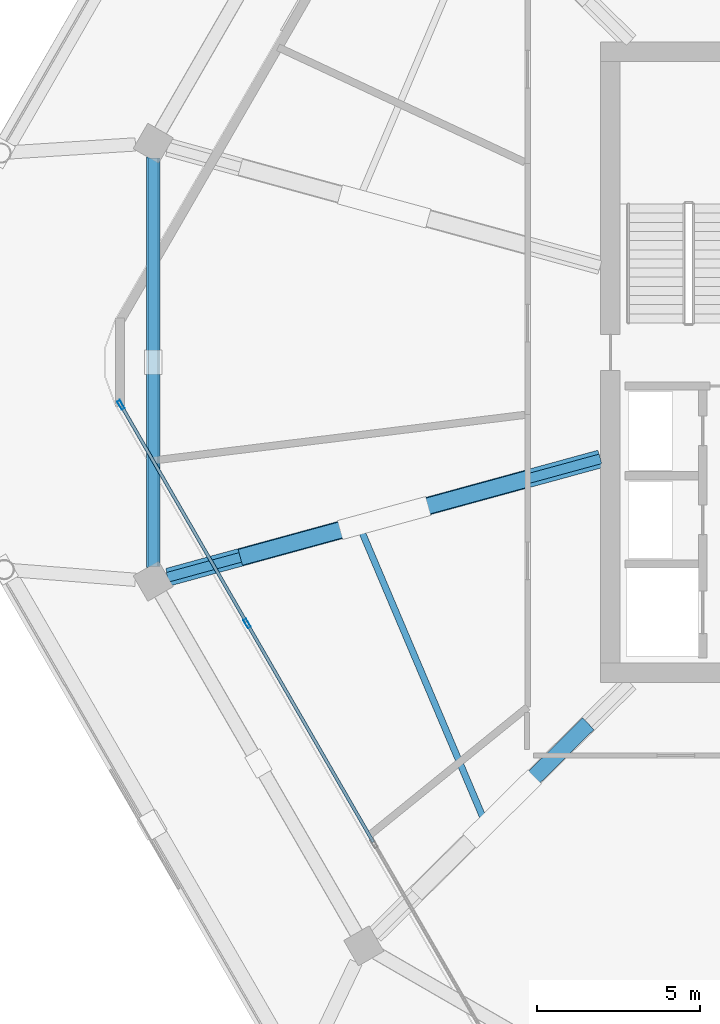
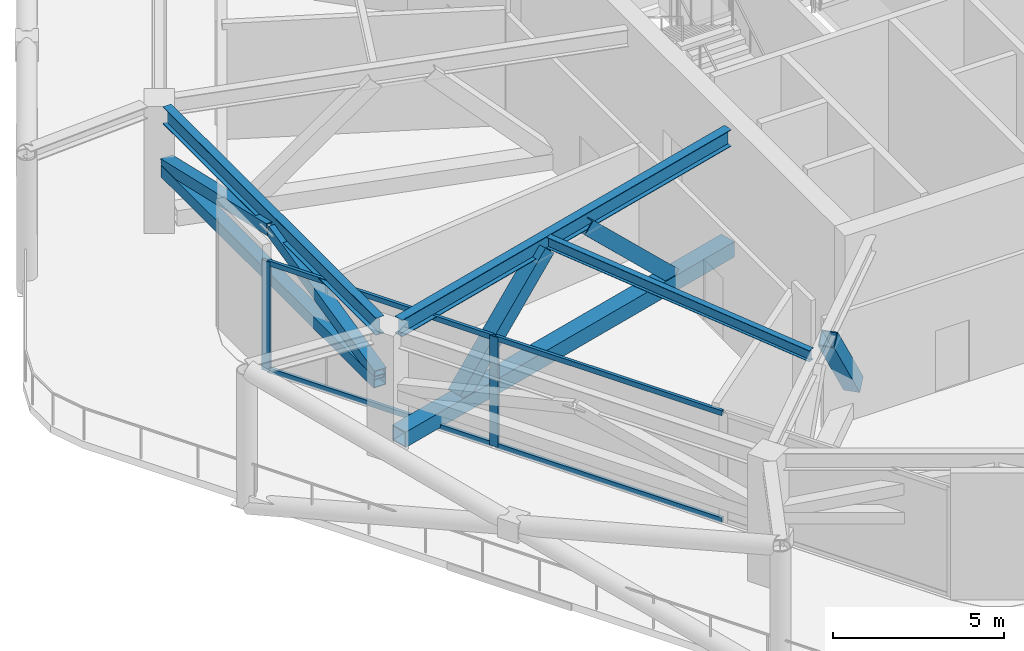
# One storey, part 4 of 20: 13 members, 3 beams, 1 element without a shape of its own.
"""IFC4 building model written with IfcOpenShell, lengths in metres."""

from ifc_helpers import new_model, si_unit, direction, frame, origin, origin_2d, place, context, subcontext, project, spatial, hollow_rectangle, i_section, extrude, material, material_profile, profile_set, type_object, element, aggregate, save


model = new_model("IFC4")

# Units and contexts
model_context = context("Model", 3, precision=1e-05, world=origin(), true_north=direction((0.0, 1.0)))
body_context = subcontext(model_context, "Body", "Model", "MODEL_VIEW")
ifc_project = project(units=[si_unit("LENGTHUNIT", "METRE"), si_unit("AREAUNIT", "SQUARE_METRE"), si_unit("VOLUMEUNIT", "CUBIC_METRE"), si_unit("PLANEANGLEUNIT", "RADIAN"), si_unit("MASSUNIT", "GRAM", prefix="KILO")], contexts=[model_context])

# Site, building, storey
site_placement = place(None, origin())
site = spatial("IfcSite", under=ifc_project, at=site_placement, CompositionType="ELEMENT")
building_placement = place(site_placement, origin())
building = spatial("IfcBuilding", under=site, at=building_placement, Name="Zuhravey Tower", CompositionType="ELEMENT")
storey_placement = place(building_placement, frame((0.0, 0.0, 226.39990234375)))
storey = spatial("IfcBuildingStorey", under=building, at=storey_placement, Name="L57", CompositionType="ELEMENT", Elevation=226.39990234375)

# Members
ifc_material_1 = material(Name="Steel SM355", Category="steel")
ifc_material_profile_1 = material_profile(ifc_material_1, hollow_rectangle(XDim=0.419921875, YDim=0.419921875, WallThickness=0.028076171875, at=origin_2d()), Name="RHS-420x420x28")
ifc_profile_set_1 = profile_set([ifc_material_profile_1], Name="Steel SM355")
member_type_1 = type_object("IfcMemberType", Name="Belt Truss Chord RHS420x420", PredefinedType="CHORD", material=ifc_profile_set_1)
member_1_placement = place(storey_placement, frame((11.515380859375, 38.243896484375, 2.27001953125), z_axis=(0.0, -1.0, 0.0), x_axis=(1.0, 0.0, 0.0)))
element("IfcMember", 1, at=member_1_placement, inside=storey, type_object=member_type_1, Name="L57 Belt Truss Bottom Chord BTC1-05", PredefinedType="CHORD", context=body_context, shape_type="SweptSolid", body=[
    extrude(hollow_rectangle(XDim=0.419921875, YDim=0.419921875, WallThickness=0.028076171875, at=origin_2d()), origin(), (0.0, 0.0, 1.0), 12.48779296875),
])
ifc_material_profile_2 = material_profile(ifc_material_1, hollow_rectangle(XDim=0.39990234375, YDim=0.39990234375, WallThickness=0.02490234375, at=origin_2d()), Name="RHS-400x400x25")
ifc_profile_set_2 = profile_set([ifc_material_profile_2], Name="Steel SM355")
member_type_2 = type_object("IfcMemberType", Name="Belt Truss Diagonal RHS400x400", PredefinedType="BRACE", material=ifc_profile_set_2)
for number, where, z_axis, x_axis, name in (
    (2, (11.515380859375, 38.229248046875, 2.493408203125), (0.0, -0.974416390723, 0.224750300312), (1.0, 0.0, 0.0), "L57 Belt Truss Diagonal BTD1-05.1"),
    (3, (11.515380859375, 25.770751953125, 2.493408203125), (0.0, 0.974416390723, 0.224750300312), (-1.0, 0.0, 0.0), "L57 Belt Truss Diagonal BTD1-05.2"),
):
    element("IfcMember", number, at=place(storey_placement, frame(where, z_axis=z_axis, x_axis=x_axis)), inside=storey, type_object=member_type_2, Name=name, PredefinedType="BRACE", context=body_context, shape_type="SweptSolid", body=[
        extrude(hollow_rectangle(XDim=0.39990234375, YDim=0.39990234375, WallThickness=0.02490234375, at=origin_2d()), origin(), (0.0, 0.0, 1.0), 6.36767578125),
    ])

# Curtain wall, members
ifc_material_2 = material(Name="Thermally broken anodised aluminium", Category="aluminium")
curtain_wall_type = type_object("IfcCurtainWallType", Name="Sky-Garden Tray Clerestory Curtain Wall CW5", PredefinedType="NOTDEFINED", material=ifc_material_2)
curtain_wall_placement = place(storey_placement, origin())
curtain_wall = element("IfcCurtainWall", 4, at=curtain_wall_placement, inside=storey, type_object=curtain_wall_type, Name="L57 CW5 CW-L57-F4-1", PredefinedType="NOTDEFINED")
ifc_material_3 = material(Name="Anodised aluminium", Category="aluminium")
ifc_material_profile_3 = material_profile(ifc_material_3, hollow_rectangle(XDim=0.10009765625, YDim=0.2900390625, WallThickness=0.006103515625, at=origin_2d()), Name="ALU-RHS-100x290x6")
ifc_profile_set_3 = profile_set([ifc_material_profile_3], Name="Anodised aluminium")
member_type_3 = type_object("IfcMemberType", Name="Heavy Tall-Storey Mullion 100x220", PredefinedType="MULLION", material=ifc_profile_set_3)
member_2_placement = place(storey_placement, frame((14.38671875, 24.008056640625, 0.0), z_axis=(0.0, 0.0, 1.0), x_axis=(-0.86602528573, -0.500000204476, 0.0)))
member_2 = element("IfcMember", 5, at=member_2_placement, type_object=member_type_3, Name="CW5 mullion 3", PredefinedType="MULLION", context=body_context, shape_type="SweptSolid", body=[
    extrude(hollow_rectangle(XDim=0.10009765625, YDim=0.2900390625, WallThickness=0.006103515625, at=origin_2d()), origin(), (0.0, 0.0, 1.0), 3.93017578125),
])
member_3_placement = place(storey_placement, frame((10.526611328125, 30.694091796875, 0.0), z_axis=(0.0, 0.0, 1.0), x_axis=(-0.86602528573, -0.500000204476, 0.0)))
member_3 = element("IfcMember", 6, at=member_3_placement, type_object=member_type_3, Name="CW5 mullion 4", PredefinedType="MULLION", context=body_context, shape_type="SweptSolid", body=[
    extrude(hollow_rectangle(XDim=0.10009765625, YDim=0.2900390625, WallThickness=0.006103515625, at=origin_2d()), origin(), (0.0, 0.0, 1.0), 3.93017578125),
])

# Members
ifc_material_4 = material(Name="Steel SM460", Category="steel")
ifc_material_profile_4 = material_profile(ifc_material_4, hollow_rectangle(XDim=0.550048828125, YDim=0.550048828125, WallThickness=0.034912109375, at=origin_2d()), Name="RHS-550x550x35")
ifc_profile_set_4 = profile_set([ifc_material_profile_4], Name="Steel SM460")
member_type_4 = type_object("IfcMemberType", Name="Outrigger Truss Chord RHS550x550", PredefinedType="CHORD", material=ifc_profile_set_4)
member_4_placement = place(storey_placement, frame((25.192138671875, 29.04296875, 0.320068359375), z_axis=(-0.964553096475, -0.263888847967, 0.0), x_axis=(0.263888847967, -0.964553096475, 0.0)))
element("IfcMember", 7, at=member_4_placement, inside=storey, type_object=member_type_4, Name="L57 Outrigger Bottom Chord OTC1-05", PredefinedType="CHORD", context=body_context, shape_type="SweptSolid", body=[
    extrude(hollow_rectangle(XDim=0.550048828125, YDim=0.550048828125, WallThickness=0.034912109375, at=origin_2d()), origin(), (0.0, 0.0, 1.0), 13.708984375),
])
ifc_material_profile_5 = material_profile(ifc_material_4, hollow_rectangle(XDim=0.5, YDim=0.5, WallThickness=0.031982421875, at=origin_2d()), Name="RHS-500x500x32")
ifc_profile_set_5 = profile_set([ifc_material_profile_5], Name="Steel SM460")
member_type_5 = type_object("IfcMemberType", Name="Outrigger Truss Diagonal RHS500x500", PredefinedType="BRACE", material=ifc_profile_set_5)
for number, where, z_axis, x_axis, name in (
    (8, (22.81201171875, 28.391845703125, 0.56005859375), (-0.686292632713, -0.187777695913, 0.702667744529), (0.263911332088, -0.964546944838, 0.0), "L57 Outrigger Diagonal OTD1-05.1"),
    (9, (14.34912109375, 26.076416015625, 0.56005859375), (0.686292632713, 0.187777695913, 0.702667744529), (-0.263911332088, 0.964546944838, 0.0), "L57 Outrigger Diagonal OTD1-05.2"),
):
    element("IfcMember", number, at=place(storey_placement, frame(where, z_axis=z_axis, x_axis=x_axis)), inside=storey, type_object=member_type_5, Name=name, PredefinedType="BRACE", context=body_context, shape_type="SweptSolid", body=[
        extrude(hollow_rectangle(XDim=0.5, YDim=0.5, WallThickness=0.031982421875, at=origin_2d()), origin(), (0.0, 0.0, 1.0), 5.009521484375),
    ])
member_5_placement = place(storey_placement, frame((24.685791015625, 20.804443359375, 0.56005859375), z_axis=(-0.447513072519, -0.442878981702, 0.776910713977), x_axis=(0.703417081124, -0.710777327989, 0.0)))
element("IfcMember", 10, at=member_5_placement, inside=storey, type_object=member_type_5, Name="L57 Outrigger Diagonal OTD1-06.1", PredefinedType="BRACE", context=body_context, shape_type="SweptSolid", body=[
    extrude(hollow_rectangle(XDim=0.5, YDim=0.5, WallThickness=0.031982421875, at=origin_2d()), origin(), (0.0, 0.0, 1.0), 4.53076171875),
])

# Beams
ifc_material_profile_6 = material_profile(ifc_material_1, i_section(OverallWidth=0.280029296875, OverallDepth=0.6201171875, WebThickness=0.011962890625, FlangeThickness=0.02001953125, at=origin_2d()), Name="H-620x280x12x20")
ifc_profile_set_6 = profile_set([ifc_material_profile_6], Name="Steel SM355")
beam_type_1 = type_object("IfcBeamType", Name="Perimeter Ring Beam H620x280", PredefinedType="BEAM", material=ifc_profile_set_6)
beam_1_placement = place(storey_placement, frame((11.515380859375, 38.245849609375, 4.239990234375), z_axis=(0.0, -1.0, 0.0), x_axis=(1.0, 0.0, 0.0)))
element("IfcBeam", 11, at=beam_1_placement, inside=storey, type_object=beam_type_1, Name="L57 PB3 BM-L57-PB-06", PredefinedType="BEAM", context=body_context, shape_type="SweptSolid", body=[
    extrude(i_section(OverallWidth=0.280029296875, OverallDepth=0.6201171875, WebThickness=0.011962890625, FlangeThickness=0.02001953125, at=origin_2d()), origin(), (0.0, 0.0, 1.0), 12.49169921875),
])
ifc_material_profile_7 = material_profile(ifc_material_1, i_section(OverallWidth=0.300048828125, OverallDepth=0.60009765625, WebThickness=0.011962890625, FlangeThickness=0.02001953125, at=origin_2d()), Name="H-600x300x12x20")
ifc_profile_set_7 = profile_set([ifc_material_profile_7], Name="Steel SM355")
beam_type_2 = type_object("IfcBeamType", Name="Radial Primary Girder H600x300", PredefinedType="BEAM", material=ifc_profile_set_7)
beam_2_placement = place(storey_placement, frame((25.197021484375, 29.04443359375, 4.25), z_axis=(-0.964548913045, -0.26390413855, 0.0), x_axis=(0.26390413855, -0.964548913045, 0.0)))
element("IfcBeam", 12, at=beam_2_placement, inside=storey, type_object=beam_type_2, Name="L57 RG3 BM-L57-RAD-07", PredefinedType="BEAM", context=body_context, shape_type="SweptSolid", body=[
    extrude(i_section(OverallWidth=0.300048828125, OverallDepth=0.60009765625, WebThickness=0.011962890625, FlangeThickness=0.02001953125, at=origin_2d()), origin(), (0.0, 0.0, 1.0), 13.7314453125),
])
ifc_material_profile_8 = material_profile(ifc_material_1, i_section(OverallWidth=0.199951171875, OverallDepth=0.39990234375, WebThickness=0.008056640625, FlangeThickness=0.012939453125, at=origin_2d()), Name="H-400x200x8x13")
ifc_profile_set_8 = profile_set([ifc_material_profile_8], Name="Steel SM355")
beam_type_3 = type_object("IfcBeamType", Name="Secondary Floor Joist H400x200", PredefinedType="JOIST", material=ifc_profile_set_8)
beam_3_placement = place(storey_placement, frame((17.869140625, 26.881103515625, 4.35009765625), z_axis=(0.390413493754, -0.920639616731, 0.0), x_axis=(0.920639616731, 0.390413493754, 0.0)))
element("IfcBeam", 13, at=beam_3_placement, inside=storey, type_object=beam_type_3, Name="L57 SJ2 BM-L57-SJ-07-1", PredefinedType="JOIST", context=body_context, shape_type="SweptSolid", body=[
    extrude(i_section(OverallWidth=0.199951171875, OverallDepth=0.39990234375, WebThickness=0.008056640625, FlangeThickness=0.012939453125, at=origin_2d()), origin(), (0.0, 0.0, 1.0), 9.656494140625),
])

# Member
ifc_material_profile_9 = material_profile(ifc_material_3, hollow_rectangle(XDim=0.10009765625, YDim=0.179931640625, WallThickness=0.006103515625, at=origin_2d()), Name="ALU-RHS-100x180x6")
ifc_profile_set_9 = profile_set([ifc_material_profile_9], Name="Anodised aluminium")
member_type_6 = type_object("IfcMemberType", Name="Tall-Storey Transom 100x180", PredefinedType="USERDEFINED", material=ifc_profile_set_9)
member_6_placement = place(storey_placement, frame((18.2470703125, 17.32177734375, 0.050048828125), z_axis=(-0.499997052475, 0.866027105532, 0.0), x_axis=(-0.866027105532, -0.499997052475, 0.0)))
member_6 = element("IfcMember", 14, at=member_6_placement, type_object=member_type_6, Name="CW5 transom 2.1", ObjectType="TRANSOM", PredefinedType="USERDEFINED", context=body_context, shape_type="SweptSolid", body=[
    extrude(hollow_rectangle(XDim=0.10009765625, YDim=0.179931640625, WallThickness=0.006103515625, at=origin_2d()), origin(), (0.0, 0.0, 1.0), 7.67041015625),
])

member_7_placement = place(storey_placement, frame((18.2470703125, 17.32177734375, 3.880126953125), z_axis=(-0.499997052475, 0.866027105532, 0.0), x_axis=(-0.866027105532, -0.499997052475, 0.0)))
member_7 = element("IfcMember", 15, at=member_7_placement, type_object=member_type_6, Name="CW5 transom 2.2", ObjectType="TRANSOM", PredefinedType="USERDEFINED", context=body_context, shape_type="SweptSolid", body=[
    extrude(hollow_rectangle(XDim=0.10009765625, YDim=0.179931640625, WallThickness=0.006103515625, at=origin_2d()), origin(), (0.0, 0.0, 1.0), 7.67041015625),
])

member_8_placement = place(storey_placement, frame((14.36181640625, 24.05126953125, 0.050048828125), z_axis=(-0.500001622432, 0.866024467071, 0.0), x_axis=(-0.866024467071, -0.500001622432, 0.0)))
member_8 = element("IfcMember", 16, at=member_8_placement, type_object=member_type_6, Name="CW5 transom 3.1", ObjectType="TRANSOM", PredefinedType="USERDEFINED", context=body_context, shape_type="SweptSolid", body=[
    extrude(hollow_rectangle(XDim=0.10009765625, YDim=0.179931640625, WallThickness=0.006103515625, at=origin_2d()), origin(), (0.0, 0.0, 1.0), 7.62060546875),
])

member_9_placement = place(storey_placement, frame((14.36181640625, 24.05126953125, 3.880126953125), z_axis=(-0.500001622432, 0.866024467071, 0.0), x_axis=(-0.866024467071, -0.500001622432, 0.0)))
member_9 = element("IfcMember", 17, at=member_9_placement, type_object=member_type_6, Name="CW5 transom 3.2", ObjectType="TRANSOM", PredefinedType="USERDEFINED", context=body_context, shape_type="SweptSolid", body=[
    extrude(hollow_rectangle(XDim=0.10009765625, YDim=0.179931640625, WallThickness=0.006103515625, at=origin_2d()), origin(), (0.0, 0.0, 1.0), 7.62060546875),
])

aggregate(curtain_wall, [member_2, member_3, member_6, member_7, member_8, member_9])

save(model, "model.ifc")
